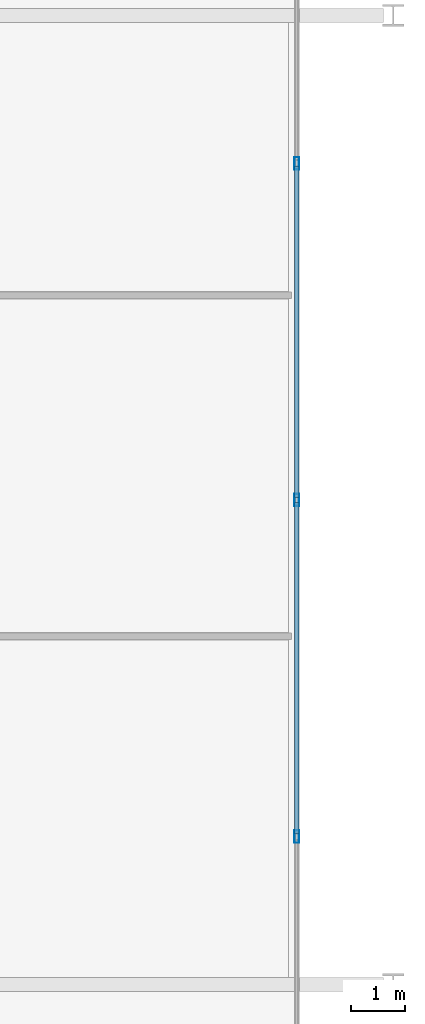
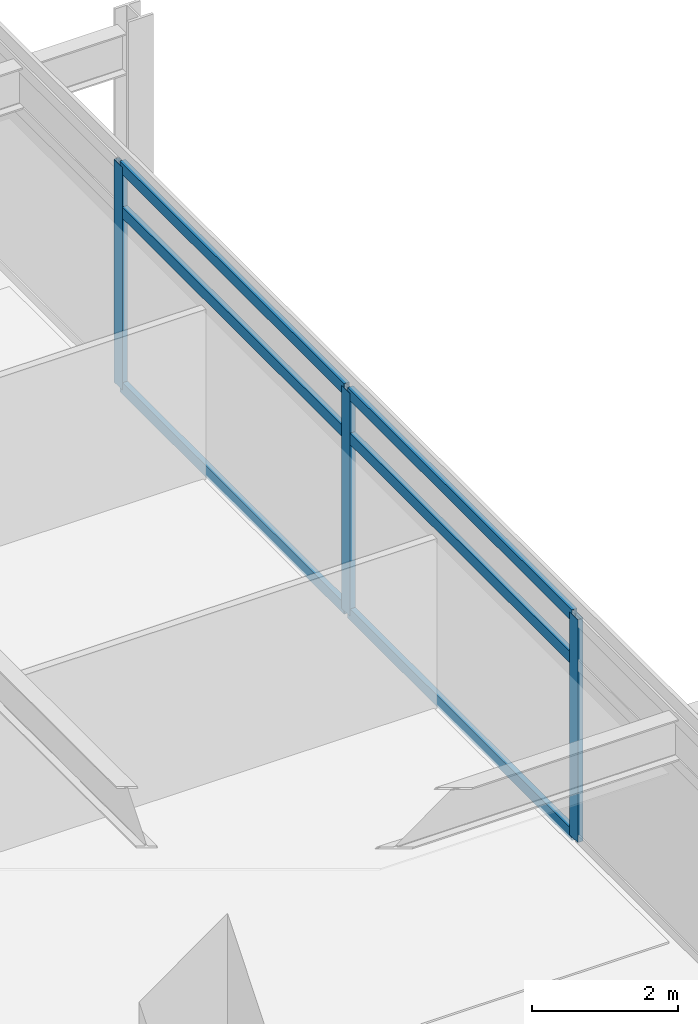
# One storey, part 4 of 22: 9 members, 1 element without a shape of its own.
"""IFC4 building model written with IfcOpenShell, lengths in metres."""

from ifc_helpers import new_model, si_unit, direction, frame, origin, origin_2d, place, context, subcontext, project, spatial, hollow_rectangle, extrude, material, material_profile, profile_set, type_object, element, aggregate, save


model = new_model("IFC4")

# Units and contexts
model_context = context("Model", 3, precision=1e-05, world=origin(), true_north=direction((0.0, 1.0)))
body_context = subcontext(model_context, "Body", "Model", "MODEL_VIEW")
ifc_project = project(units=[si_unit("LENGTHUNIT", "METRE"), si_unit("AREAUNIT", "SQUARE_METRE"), si_unit("VOLUMEUNIT", "CUBIC_METRE"), si_unit("PLANEANGLEUNIT", "RADIAN"), si_unit("MASSUNIT", "GRAM", prefix="KILO")], contexts=[model_context])

# Site, building, storey
site_placement = place(None, origin())
site = spatial("IfcSite", under=ifc_project, at=site_placement, CompositionType="ELEMENT")
building_placement = place(site_placement, origin())
building = spatial("IfcBuilding", under=site, at=building_placement, Name="Kovane Verandah Tower", CompositionType="ELEMENT")
storey_placement = place(building_placement, frame((0.0, 0.0, 225.199951171875)))
storey = spatial("IfcBuildingStorey", under=building, at=storey_placement, Name="L52", CompositionType="ELEMENT", Elevation=225.199951171875)

# Curtain wall, members
ifc_material_1 = material(Name="Champagne Anodised Aluminium Frame with Low-E Clear Laminated Glass", Category="aluminium")
curtain_wall_type = type_object("IfcCurtainWallType", Name="CW-SYS-03-MID", PredefinedType="NOTDEFINED", material=ifc_material_1)
curtain_wall_placement = place(storey_placement, origin())
curtain_wall = element("IfcCurtainWall", 1, at=curtain_wall_placement, inside=storey, type_object=curtain_wall_type, Name="L52 E Unitised Curtain Wall", PredefinedType="NOTDEFINED")
ifc_material_2 = material(Name="Champagne Anodised Aluminium 6063-T6", Category="aluminium")
ifc_material_profile_1 = material_profile(ifc_material_2, hollow_rectangle(XDim=0.0849609375, YDim=0.22998046875, WallThickness=0.00390625, at=origin_2d()), Name="AL85x230x4")
ifc_profile_set_1 = profile_set([ifc_material_profile_1], Name="Champagne Anodised Aluminium 6063-T6")
member_type_1 = type_object("IfcMemberType", Name="CW-MUL-85x230", PredefinedType="MULLION", material=ifc_profile_set_1)
member_1_placement = place(storey_placement, frame((65.809814453125, 21.247802734375, 0.02001953125), z_axis=(0.0, 0.0, 1.0), x_axis=(1.0, 0.0, 0.0)))
member_1 = element("IfcMember", 2, at=member_1_placement, type_object=member_type_1, Name="L52 E Unitised Curtain Wall Mullion 3", PredefinedType="MULLION", context=body_context, shape_type="SweptSolid", body=[
    extrude(hollow_rectangle(XDim=0.0849609375, YDim=0.22998046875, WallThickness=0.00390625, at=origin_2d()), origin(), (0.0, 0.0, 1.0), 3.735107421875),
])
member_2_placement = place(storey_placement, frame((65.809814453125, 27.5, 0.02001953125), z_axis=(0.0, 0.0, 1.0), x_axis=(1.0, 0.0, 0.0)))
member_2 = element("IfcMember", 3, at=member_2_placement, type_object=member_type_1, Name="L52 E Unitised Curtain Wall Mullion 4", PredefinedType="MULLION", context=body_context, shape_type="SweptSolid", body=[
    extrude(hollow_rectangle(XDim=0.0849609375, YDim=0.22998046875, WallThickness=0.00390625, at=origin_2d()), origin(), (0.0, 0.0, 1.0), 3.735107421875),
])
member_3_placement = place(storey_placement, frame((65.809814453125, 33.752197265625, 0.02001953125), z_axis=(0.0, 0.0, 1.0), x_axis=(1.0, 0.0, 0.0)))
member_3 = element("IfcMember", 4, at=member_3_placement, type_object=member_type_1, Name="L52 E Unitised Curtain Wall Mullion 5", PredefinedType="MULLION", context=body_context, shape_type="SweptSolid", body=[
    extrude(hollow_rectangle(XDim=0.0849609375, YDim=0.22998046875, WallThickness=0.00390625, at=origin_2d()), origin(), (0.0, 0.0, 1.0), 3.735107421875),
])
ifc_material_profile_2 = material_profile(ifc_material_2, hollow_rectangle(XDim=0.0849609375, YDim=0.18994140625, WallThickness=0.00390625, at=origin_2d()), Name="AL85x190x4")
ifc_profile_set_2 = profile_set([ifc_material_profile_2], Name="Champagne Anodised Aluminium 6063-T6")
member_type_2 = type_object("IfcMemberType", Name="CW-TRN-85x190", PredefinedType="USERDEFINED", material=ifc_profile_set_2)
member_4_placement = place(storey_placement, frame((65.809814453125, 21.2978515625, 0.050048828125), z_axis=(0.0, 1.0, 0.0), x_axis=(-1.0, 0.0, 0.0)))
member_4 = element("IfcMember", 5, at=member_4_placement, type_object=member_type_2, Name="L52 E Unitised Curtain Wall Transom TB Bay 3", ObjectType="TRANSOM", PredefinedType="USERDEFINED", context=body_context, shape_type="SweptSolid", body=[
    extrude(hollow_rectangle(XDim=0.0849609375, YDim=0.18994140625, WallThickness=0.00390625, at=origin_2d()), origin(), (0.0, 0.0, 1.0), 6.152099609375),
])
member_5_placement = place(storey_placement, frame((65.809814453125, 21.2978515625, 2.9951171875), z_axis=(0.0, 1.0, 0.0), x_axis=(-1.0, 0.0, 0.0)))
member_5 = element("IfcMember", 6, at=member_5_placement, type_object=member_type_2, Name="L52 E Unitised Curtain Wall Transom TM Bay 3", ObjectType="TRANSOM", PredefinedType="USERDEFINED", context=body_context, shape_type="SweptSolid", body=[
    extrude(hollow_rectangle(XDim=0.0849609375, YDim=0.18994140625, WallThickness=0.00390625, at=origin_2d()), origin(), (0.0, 0.0, 1.0), 6.152099609375),
])
member_6_placement = place(storey_placement, frame((65.809814453125, 21.2978515625, 3.72509765625), z_axis=(0.0, 1.0, 0.0), x_axis=(-1.0, 0.0, 0.0)))
member_6 = element("IfcMember", 7, at=member_6_placement, type_object=member_type_2, Name="L52 E Unitised Curtain Wall Transom TT Bay 3", ObjectType="TRANSOM", PredefinedType="USERDEFINED", context=body_context, shape_type="SweptSolid", body=[
    extrude(hollow_rectangle(XDim=0.0849609375, YDim=0.18994140625, WallThickness=0.00390625, at=origin_2d()), origin(), (0.0, 0.0, 1.0), 6.152099609375),
])
member_7_placement = place(storey_placement, frame((65.809814453125, 27.550048828125, 0.050048828125), z_axis=(0.0, 1.0, 0.0), x_axis=(-1.0, 0.0, 0.0)))
member_7 = element("IfcMember", 8, at=member_7_placement, type_object=member_type_2, Name="L52 E Unitised Curtain Wall Transom TB Bay 4", ObjectType="TRANSOM", PredefinedType="USERDEFINED", context=body_context, shape_type="SweptSolid", body=[
    extrude(hollow_rectangle(XDim=0.0849609375, YDim=0.18994140625, WallThickness=0.00390625, at=origin_2d()), origin(), (0.0, 0.0, 1.0), 6.152099609375),
])
member_8_placement = place(storey_placement, frame((65.809814453125, 27.550048828125, 2.9951171875), z_axis=(0.0, 1.0, 0.0), x_axis=(-1.0, 0.0, 0.0)))
member_8 = element("IfcMember", 9, at=member_8_placement, type_object=member_type_2, Name="L52 E Unitised Curtain Wall Transom TM Bay 4", ObjectType="TRANSOM", PredefinedType="USERDEFINED", context=body_context, shape_type="SweptSolid", body=[
    extrude(hollow_rectangle(XDim=0.0849609375, YDim=0.18994140625, WallThickness=0.00390625, at=origin_2d()), origin(), (0.0, 0.0, 1.0), 6.152099609375),
])
member_9_placement = place(storey_placement, frame((65.809814453125, 27.550048828125, 3.72509765625), z_axis=(0.0, 1.0, 0.0), x_axis=(-1.0, 0.0, 0.0)))
member_9 = element("IfcMember", 10, at=member_9_placement, type_object=member_type_2, Name="L52 E Unitised Curtain Wall Transom TT Bay 4", ObjectType="TRANSOM", PredefinedType="USERDEFINED", context=body_context, shape_type="SweptSolid", body=[
    extrude(hollow_rectangle(XDim=0.0849609375, YDim=0.18994140625, WallThickness=0.00390625, at=origin_2d()), origin(), (0.0, 0.0, 1.0), 6.152099609375),
])
aggregate(curtain_wall, [member_1, member_2, member_3, member_4, member_5, member_6, member_7, member_8, member_9])

save(model, "model.ifc")
